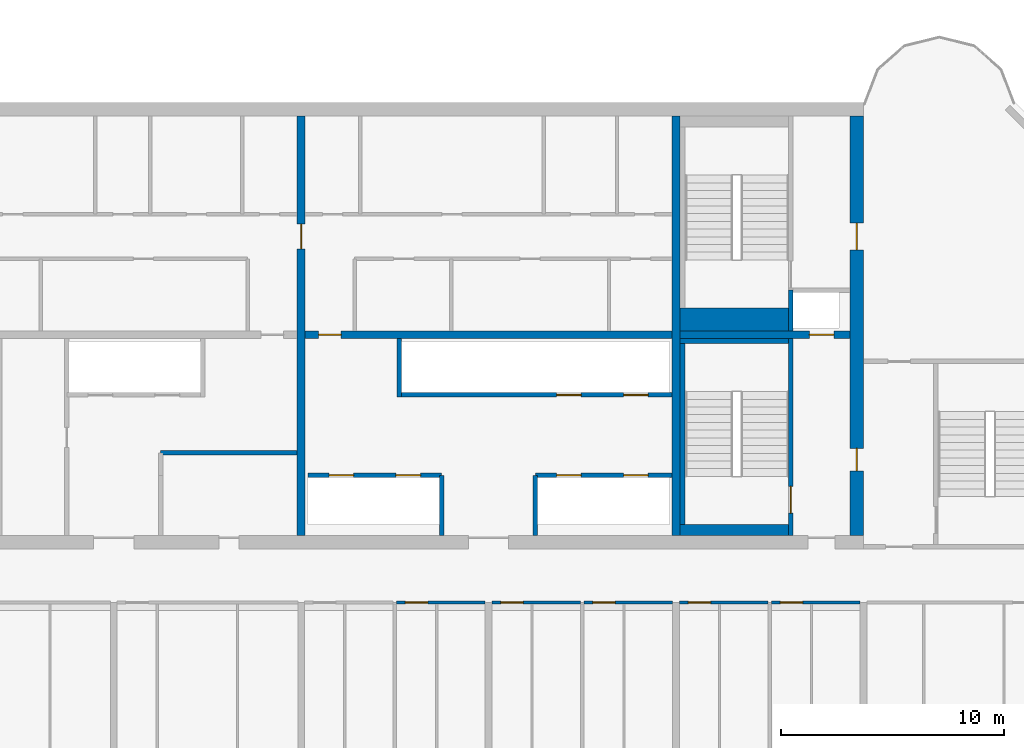
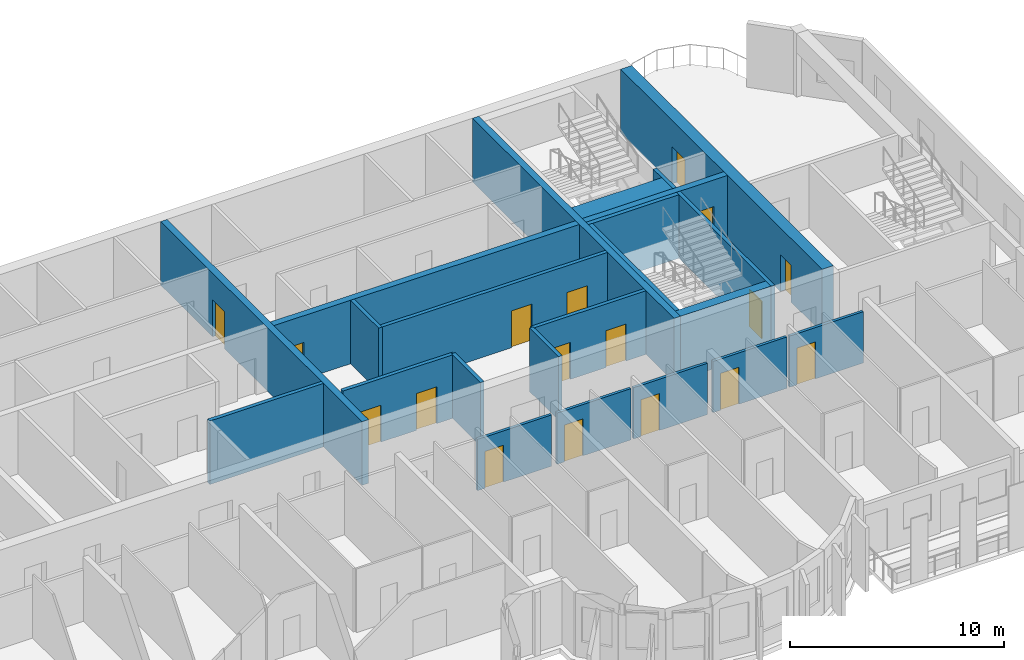
# One storey, part 6 of 12: 23 walls, 17 doors, 17 openings.
"""IFC4 building model written with IfcOpenShell, lengths in metres."""

from ifc_helpers import new_model, si_unit, direction, frame, frame_2d, origin, place, context, subcontext, project, spatial, rectangle, extrude, source, transform, mapped, material, layer, layer_set, type_object, element, fill, save


model = new_model("IFC4")

# Units and contexts
model_context = context("Model", 3, precision=1e-05, world=origin(), true_north=direction((0.0, 1.0)))
body_context = subcontext(model_context, "Body", "Model", "MODEL_VIEW")
ifc_project = project(units=[si_unit("LENGTHUNIT", "METRE"), si_unit("AREAUNIT", "SQUARE_METRE"), si_unit("VOLUMEUNIT", "CUBIC_METRE"), si_unit("PLANEANGLEUNIT", "RADIAN"), si_unit("MASSUNIT", "GRAM", prefix="KILO")], contexts=[model_context])

# Site, building, storey
site_placement = place(None, origin())
site = spatial("IfcSite", under=ifc_project, at=site_placement, CompositionType="ELEMENT")
building_placement = place(site_placement, origin())
building = spatial("IfcBuilding", under=site, at=building_placement, Name="Vanashikhar Sky Hotel", CompositionType="ELEMENT")
storey_placement = place(building_placement, frame((0.0, 0.0, 221.800048828125)))
storey = spatial("IfcBuildingStorey", under=building, at=storey_placement, Name="L53", CompositionType="ELEMENT", Elevation=221.800048828125)

# Wall, openings, doors
ifc_material_1 = material(Name="Concrete M60", Category="concrete")
ifc_layer_1 = layer(ifc_material_1, 0.60009765625)
ifc_layer_set_1 = layer_set([ifc_layer_1], Name="RC core shell wall 600 Concrete M60")
wall_type_1 = type_object("IfcWallType", Name="RC core shell wall 600 Concrete M60", PredefinedType="SHEAR", material=ifc_layer_set_1)
shared_shape_1 = source(origin(), body_context, "Body", "SweptSolid", [
    extrude(rectangle(XDim=18.7998046875, YDim=0.60009765625, at=frame_2d((9.39990234375, 0.0))), origin(), (0.0, 0.0, 1.0), 3.619873046875),
])
wall_1_placement = place(storey_placement, frame((75.300048828125, 22.60009765625, 0.0), z_axis=(0.0, 0.0, 1.0), x_axis=(0.0, 1.0, 0.0)))
wall_1 = element("IfcWall", 1, at=wall_1_placement, inside=storey, type_object=wall_type_1, Name="KW-L53-KE", PredefinedType="SHEAR", context=body_context, shape_type="MappedRepresentation", body=[
    mapped(shared_shape_1, transform((0.0, 0.0, 0.0), scale=1.0)),
])
shared_shape_2 = source(origin(), body_context, "Body", "SweptSolid", [
    extrude(rectangle(XDim=1.0, YDim=2.10009765625, at=frame_2d((0.5, 1.050048828125))), frame((0.0, 0.31005859375, 0.0), z_axis=(0.0, -1.0, 0.0), x_axis=(1.0, 0.0, 0.0)), (0.0, 0.0, 1.0), 0.6201171875),
])
opening_1_placement = place(wall_1_placement, frame((2.89990234375, 0.0, 0.0)))
opening_1 = element("IfcOpeningElement", 2, at=opening_1_placement, cuts=wall_1, Name="Opening DC-5", PredefinedType="OPENING", context=body_context, shape_type="MappedRepresentation", body=[
    mapped(shared_shape_2, transform((0.0, 0.0, 0.0), scale=1.0)),
])
shared_shape_3 = source(origin(), body_context, "Body", "SweptSolid", [
    extrude(rectangle(XDim=1.199951171875, YDim=2.10009765625, at=frame_2d((0.60009765625, 1.050048828125))), frame((0.0, 0.31005859375, 0.0), z_axis=(0.0, -1.0, 0.0), x_axis=(1.0, 0.0, 0.0)), (0.0, 0.0, 1.0), 0.6201171875),
])
opening_2_placement = place(wall_1_placement, frame((12.800048828125, 0.0, 0.0)))
opening_2 = element("IfcOpeningElement", 3, at=opening_2_placement, cuts=wall_1, Name="Opening DC-4-D", PredefinedType="OPENING", context=body_context, shape_type="MappedRepresentation", body=[
    mapped(shared_shape_3, transform((0.0, 0.0, 0.0), scale=1.0)),
])
ifc_material_2 = material(Name="Steel", Category="steel")
door_type_1 = type_object("IfcDoorType", Name="Refuge door 1000 FD120", OperationType="NOTDEFINED", PredefinedType="DOOR", material=ifc_material_2)
shared_shape_4 = source(origin(), body_context, "Body", "SweptSolid", [
    extrude(rectangle(XDim=1.0, YDim=2.10009765625, at=frame_2d((0.5, 1.050048828125))), frame((0.0, 0.02490234375, 0.0), z_axis=(0.0, -1.0, 0.0), x_axis=(1.0, 0.0, 0.0)), (0.0, 0.0, 1.0), 0.050048828125),
])
door_1_placement = place(opening_1_placement, origin())
door_1 = element("IfcDoor", 4, at=door_1_placement, inside=storey, type_object=door_type_1, Name="Refuge door 1000 FD120", OperationType="SINGLE_SWING_RIGHT", OverallHeight=2.10009765625, OverallWidth=1.0, PredefinedType="DOOR", context=body_context, shape_type="MappedRepresentation", body=[
    mapped(shared_shape_4, transform((0.0, 0.0, 0.0), scale=1.0)),
])
fill(opening_1, door_1)
door_type_2 = type_object("IfcDoorType", Name="Service door 1200 FD120", OperationType="NOTDEFINED", PredefinedType="DOOR", material=ifc_material_2)
shared_shape_5 = source(origin(), body_context, "Body", "SweptSolid", [
    extrude(rectangle(XDim=1.199951171875, YDim=2.10009765625, at=frame_2d((0.60009765625, 1.050048828125))), frame((0.0, 0.02490234375, 0.0), z_axis=(0.0, -1.0, 0.0), x_axis=(1.0, 0.0, 0.0)), (0.0, 0.0, 1.0), 0.050048828125),
])
door_2_placement = place(opening_2_placement, origin())
door_2 = element("IfcDoor", 5, at=door_2_placement, inside=storey, type_object=door_type_2, Name="Service door 1200 FD120", OperationType="SINGLE_SWING_LEFT", OverallHeight=2.10009765625, OverallWidth=1.199951171875, PredefinedType="DOOR", context=body_context, shape_type="MappedRepresentation", body=[
    mapped(shared_shape_5, transform((0.0, 0.0, 0.0), scale=1.0)),
])
fill(opening_2, door_2)

# Wall, opening, door
ifc_layer_2 = layer(ifc_material_1, 0.35009765625)
ifc_layer_set_2 = layer_set([ifc_layer_2], Name="RC core inner wall 350 Concrete M60")
wall_type_2 = type_object("IfcWallType", Name="RC core inner wall 350 Concrete M60", PredefinedType="SHEAR", material=ifc_layer_set_2)
shared_shape_6 = source(origin(), body_context, "Body", "SweptSolid", [
    extrude(rectangle(XDim=18.7998046875, YDim=0.35009765625, at=frame_2d((9.39990234375, 0.0))), origin(), (0.0, 0.0, 1.0), 3.619873046875),
])
wall_2_placement = place(storey_placement, frame((50.39990234375, 22.60009765625, 0.0), z_axis=(0.0, 0.0, 1.0), x_axis=(0.0, 1.0, 0.0)))
wall_2 = element("IfcWall", 6, at=wall_2_placement, inside=storey, type_object=wall_type_2, Name="KW-L53-KX2", PredefinedType="SHEAR", context=body_context, shape_type="MappedRepresentation", body=[
    mapped(shared_shape_6, transform((0.0, 0.0, 0.0), scale=1.0)),
])
shared_shape_7 = source(origin(), body_context, "Body", "SweptSolid", [
    extrude(rectangle(XDim=1.10009765625, YDim=2.10009765625, at=frame_2d((0.550048828125, 1.050048828125))), frame((0.0, 0.18505859375, 0.0), z_axis=(0.0, -1.0, 0.0), x_axis=(1.0, 0.0, 0.0)), (0.0, 0.0, 1.0), 0.3701171875),
])
opening_3_placement = place(wall_2_placement, frame((12.85009765625, 0.0, 0.0)))
opening_3 = element("IfcOpeningElement", 7, at=opening_3_placement, cuts=wall_2, Name="Opening DC-4-C", PredefinedType="OPENING", context=body_context, shape_type="MappedRepresentation", body=[
    mapped(shared_shape_7, transform((0.0, 0.0, 0.0), scale=1.0)),
])
door_type_3 = type_object("IfcDoorType", Name="Service door 1100 FD60", OperationType="NOTDEFINED", PredefinedType="DOOR", material=ifc_material_2)
shared_shape_8 = source(origin(), body_context, "Body", "SweptSolid", [
    extrude(rectangle(XDim=1.10009765625, YDim=2.10009765625, at=frame_2d((0.550048828125, 1.050048828125))), frame((0.0, 0.02490234375, 0.0), z_axis=(0.0, -1.0, 0.0), x_axis=(1.0, 0.0, 0.0)), (0.0, 0.0, 1.0), 0.050048828125),
])
door_3_placement = place(opening_3_placement, origin())
door_3 = element("IfcDoor", 8, at=door_3_placement, inside=storey, type_object=door_type_3, Name="Service door 1100 FD60", OperationType="SINGLE_SWING_RIGHT", OverallHeight=2.10009765625, OverallWidth=1.10009765625, PredefinedType="DOOR", context=body_context, shape_type="MappedRepresentation", body=[
    mapped(shared_shape_8, transform((0.0, 0.0, 0.0), scale=1.0)),
])
fill(opening_3, door_3)

# Wall
wall_3_placement = place(storey_placement, frame((67.199951171875, 22.60009765625, 0.0), z_axis=(0.0, 0.0, 1.0), x_axis=(0.0, 1.0, 0.0)))
element("IfcWall", 9, at=wall_3_placement, inside=storey, type_object=wall_type_2, Name="KW-L53-KX3", PredefinedType="SHEAR", context=body_context, shape_type="MappedRepresentation", body=[
    mapped(shared_shape_6, transform((0.0, 0.0, 0.0), scale=1.0)),
])

# Wall, opening, door
shared_shape_9 = source(origin(), body_context, "Body", "SweptSolid", [
    extrude(rectangle(XDim=7.625, YDim=0.35009765625, at=frame_2d((3.8125, 0.0))), origin(), (0.0, 0.0, 1.0), 3.619873046875),
])
wall_4_placement = place(storey_placement, frame((67.375, 31.60009765625, 0.0), z_axis=(0.0, 0.0, 1.0), x_axis=(1.0, 0.0, 0.0)))
wall_4 = element("IfcWall", 10, at=wall_4_placement, inside=storey, type_object=wall_type_2, Name="KW-L53-KY4", PredefinedType="SHEAR", context=body_context, shape_type="MappedRepresentation", body=[
    mapped(shared_shape_9, transform((0.0, 0.0, 0.0), scale=1.0)),
])
opening_4_placement = place(wall_4_placement, frame((5.800048828125, 0.0, 0.0)))
opening_4 = element("IfcOpeningElement", 11, at=opening_4_placement, cuts=wall_4, Name="Opening LD", PredefinedType="OPENING", context=body_context, shape_type="MappedRepresentation", body=[
    mapped(shared_shape_7, transform((0.0, 0.0, 0.0), scale=1.0)),
])
ifc_material_3 = material(Name="Stainless steel", Category="steel")
door_type_4 = type_object("IfcDoorType", Name="Lift landing door 1100", OperationType="NOTDEFINED", PredefinedType="DOOR", material=ifc_material_3)
door_4_placement = place(opening_4_placement, origin())
door_4 = element("IfcDoor", 12, at=door_4_placement, inside=storey, type_object=door_type_4, Name="Lift landing door 1100", OperationType="SLIDING_TO_LEFT", OverallHeight=2.10009765625, OverallWidth=1.10009765625, PredefinedType="DOOR", context=body_context, shape_type="MappedRepresentation", body=[
    mapped(shared_shape_8, transform((0.0, 0.0, 0.0), scale=1.0)),
])
fill(opening_4, door_4)

shared_shape_10 = source(origin(), body_context, "Body", "SweptSolid", [
    extrude(rectangle(XDim=16.449951171875, YDim=0.35009765625, at=frame_2d((8.22509765625, 0.0))), origin(), (0.0, 0.0, 1.0), 3.619873046875),
])
wall_5_placement = place(storey_placement, frame((50.574951171875, 31.60009765625, 0.0), z_axis=(0.0, 0.0, 1.0), x_axis=(1.0, 0.0, 0.0)))
wall_5 = element("IfcWall", 13, at=wall_5_placement, inside=storey, type_object=wall_type_2, Name="KW-L53-KY3", PredefinedType="SHEAR", context=body_context, shape_type="MappedRepresentation", body=[
    mapped(shared_shape_10, transform((0.0, 0.0, 0.0), scale=1.0)),
])
shared_shape_11 = source(origin(), body_context, "Body", "SweptSolid", [
    extrude(rectangle(XDim=1.0, YDim=2.10009765625, at=frame_2d((0.5, 1.050048828125))), frame((0.0, 0.18505859375, 0.0), z_axis=(0.0, -1.0, 0.0), x_axis=(1.0, 0.0, 0.0)), (0.0, 0.0, 1.0), 0.3701171875),
])
opening_5_placement = place(wall_5_placement, frame((0.613037109375, 0.0, 0.0)))
opening_5 = element("IfcOpeningElement", 14, at=opening_5_placement, cuts=wall_5, Name="Opening DC-4", PredefinedType="OPENING", context=body_context, shape_type="MappedRepresentation", body=[
    mapped(shared_shape_11, transform((0.0, 0.0, 0.0), scale=1.0)),
])
door_type_5 = type_object("IfcDoorType", Name="Service door 1000 FD60", OperationType="NOTDEFINED", PredefinedType="DOOR", material=ifc_material_2)
door_5_placement = place(opening_5_placement, origin())
door_5 = element("IfcDoor", 15, at=door_5_placement, inside=storey, type_object=door_type_5, Name="Service door 1000 FD60", OperationType="SINGLE_SWING_RIGHT", OverallHeight=2.10009765625, OverallWidth=1.0, PredefinedType="DOOR", context=body_context, shape_type="MappedRepresentation", body=[
    mapped(shared_shape_4, transform((0.0, 0.0, 0.0), scale=1.0)),
])
fill(opening_5, door_5)

# Wall, openings, doors
ifc_material_4 = material(Name="Concrete M40", Category="concrete")
ifc_layer_3 = layer(ifc_material_4, 0.199951171875)
ifc_layer_set_3 = layer_set([ifc_layer_3], Name="Shaft wall 200")
wall_type_3 = type_object("IfcWallType", Name="Shaft wall 200", PredefinedType="SOLIDWALL", material=ifc_layer_set_3)
shared_shape_12 = source(origin(), body_context, "Body", "SweptSolid", [
    extrude(rectangle(XDim=6.0, YDim=0.199951171875, at=frame_2d((3.0, 0.0))), origin(), (0.0, 0.0, 1.0), 3.619873046875),
])
wall_6_placement = place(storey_placement, frame((56.699951171875, 25.300048828125, 0.0), z_axis=(0.0, 0.0, 1.0), x_axis=(-1.0, 0.0, 0.0)))
wall_6 = element("IfcWall", 16, at=wall_6_placement, inside=storey, type_object=wall_type_3, Name="Shaft wall 200", PredefinedType="SOLIDWALL", context=body_context, shape_type="MappedRepresentation", body=[
    mapped(shared_shape_12, transform((0.0, 0.0, 0.0), scale=1.0)),
])
shared_shape_13 = source(origin(), body_context, "Body", "SweptSolid", [
    extrude(rectangle(XDim=1.10009765625, YDim=2.10009765625, at=frame_2d((0.550048828125, 1.050048828125))), frame((0.0, 0.10986328125, 0.0), z_axis=(0.0, -1.0, 0.0), x_axis=(1.0, 0.0, 0.0)), (0.0, 0.0, 1.0), 0.219970703125),
])
opening_6_placement = place(wall_6_placement, frame((0.949951171875, 0.0, 0.0)))
opening_6 = element("IfcOpeningElement", 17, at=opening_6_placement, cuts=wall_6, Name="Opening LD", PredefinedType="OPENING", context=body_context, shape_type="MappedRepresentation", body=[
    mapped(shared_shape_13, transform((0.0, 0.0, 0.0), scale=1.0)),
])
opening_7_placement = place(wall_6_placement, frame((3.949951171875, 0.0, 0.0)))
opening_7 = element("IfcOpeningElement", 18, at=opening_7_placement, cuts=wall_6, Name="Opening LD", PredefinedType="OPENING", context=body_context, shape_type="MappedRepresentation", body=[
    mapped(shared_shape_13, transform((0.0, 0.0, 0.0), scale=1.0)),
])
door_6_placement = place(opening_6_placement, origin())
door_6 = element("IfcDoor", 19, at=door_6_placement, inside=storey, type_object=door_type_4, Name="Lift landing door 1100", OperationType="SLIDING_TO_RIGHT", OverallHeight=2.10009765625, OverallWidth=1.10009765625, PredefinedType="DOOR", context=body_context, shape_type="MappedRepresentation", body=[
    mapped(shared_shape_8, transform((0.0, 0.0, 0.0), scale=1.0)),
])
fill(opening_6, door_6)
door_7_placement = place(opening_7_placement, origin())
door_7 = element("IfcDoor", 20, at=door_7_placement, inside=storey, type_object=door_type_4, Name="Lift landing door 1100", OperationType="SLIDING_TO_LEFT", OverallHeight=2.10009765625, OverallWidth=1.10009765625, PredefinedType="DOOR", context=body_context, shape_type="MappedRepresentation", body=[
    mapped(shared_shape_8, transform((0.0, 0.0, 0.0), scale=1.0)),
])
fill(opening_7, door_7)

# Walls
shared_shape_14 = source(origin(), body_context, "Body", "SweptSolid", [
    extrude(rectangle(XDim=2.699951171875, YDim=0.199951171875, at=frame_2d((1.35009765625, 0.0))), origin(), (0.0, 0.0, 1.0), 3.619873046875),
])
for number, where, z_axis, x_axis, name in (
    (21, (60.89990234375, 22.60009765625, 0.0), (0.0, 0.0, 1.0), (0.0, 1.0, 0.0), "Shaft wall 200"),
    (22, (56.699951171875, 22.60009765625, 0.0), (0.0, 0.0, 1.0), (0.0, 1.0, 0.0), "Shaft wall 200"),
):
    element("IfcWall", number, at=place(storey_placement, frame(where, z_axis=z_axis, x_axis=x_axis)), inside=storey, type_object=wall_type_3, Name=name, PredefinedType="SOLIDWALL", context=body_context, shape_type="MappedRepresentation", body=[
        mapped(shared_shape_14, transform((0.0, 0.0, 0.0), scale=1.0)),
    ])
shared_shape_15 = source(origin(), body_context, "Body", "SweptSolid", [
    extrude(rectangle(XDim=2.625, YDim=0.199951171875, at=frame_2d((1.3125, 0.0))), origin(), (0.0, 0.0, 1.0), 3.619873046875),
])
wall_7_placement = place(storey_placement, frame((54.800048828125, 28.800048828125, 0.0), z_axis=(0.0, 0.0, 1.0), x_axis=(0.0, 1.0, 0.0)))
element("IfcWall", 23, at=wall_7_placement, inside=storey, type_object=wall_type_3, Name="Shaft wall 200", PredefinedType="SOLIDWALL", context=body_context, shape_type="MappedRepresentation", body=[
    mapped(shared_shape_15, transform((0.0, 0.0, 0.0), scale=1.0)),
])
ifc_material_5 = material(Name="Gypsum board partition")
ifc_layer_4 = layer(ifc_material_5, 0.14990234375)
ifc_layer_set_4 = layer_set([ifc_layer_4], Name="Service partition 150")
wall_type_4 = type_object("IfcWallType", Name="Service partition 150", PredefinedType="PARTITIONING", material=ifc_layer_set_4)
shared_shape_16 = source(origin(), body_context, "Body", "SweptSolid", [
    extrude(rectangle(XDim=6.125, YDim=0.199951171875, at=frame_2d((3.0625, 0.0))), origin(), (0.0, 0.0, 1.0), 3.619873046875),
])
wall_8_placement = place(storey_placement, frame((44.10009765625, 26.300048828125, 0.0), z_axis=(0.0, 0.0, 1.0), x_axis=(1.0, 0.0, 0.0)))
element("IfcWall", 24, at=wall_8_placement, inside=storey, type_object=wall_type_4, Name="Service partition 150", PredefinedType="PARTITIONING", context=body_context, shape_type="MappedRepresentation", body=[
    mapped(shared_shape_16, transform((0.0, 0.0, 0.0), scale=1.0)),
])

# Wall, openings, doors
wall_9_placement = place(storey_placement, frame((67.02490234375, 25.300048828125, 0.0), z_axis=(0.0, 0.0, 1.0), x_axis=(-1.0, 0.0, 0.0)))
wall_9 = element("IfcWall", 25, at=wall_9_placement, inside=storey, type_object=wall_type_3, Name="Shaft wall 200", PredefinedType="SOLIDWALL", context=body_context, shape_type="MappedRepresentation", body=[
    mapped(shared_shape_16, transform((0.0, 0.0, 0.0), scale=1.0)),
])
opening_8_placement = place(wall_9_placement, frame((1.074951171875, 0.0, 0.0)))
opening_8 = element("IfcOpeningElement", 26, at=opening_8_placement, cuts=wall_9, Name="Opening LD", PredefinedType="OPENING", context=body_context, shape_type="MappedRepresentation", body=[
    mapped(shared_shape_13, transform((0.0, 0.0, 0.0), scale=1.0)),
])
opening_9_placement = place(wall_9_placement, frame((4.074951171875, 0.0, 0.0)))
opening_9 = element("IfcOpeningElement", 27, at=opening_9_placement, cuts=wall_9, Name="Opening LD", PredefinedType="OPENING", context=body_context, shape_type="MappedRepresentation", body=[
    mapped(shared_shape_13, transform((0.0, 0.0, 0.0), scale=1.0)),
])
door_8_placement = place(opening_8_placement, origin())
door_8 = element("IfcDoor", 28, at=door_8_placement, inside=storey, type_object=door_type_4, Name="Lift landing door 1100", OperationType="SLIDING_TO_RIGHT", OverallHeight=2.10009765625, OverallWidth=1.10009765625, PredefinedType="DOOR", context=body_context, shape_type="MappedRepresentation", body=[
    mapped(shared_shape_8, transform((0.0, 0.0, 0.0), scale=1.0)),
])
fill(opening_8, door_8)
door_9_placement = place(opening_9_placement, origin())
door_9 = element("IfcDoor", 29, at=door_9_placement, inside=storey, type_object=door_type_4, Name="Lift landing door 1100", OperationType="SLIDING_TO_LEFT", OverallHeight=2.10009765625, OverallWidth=1.10009765625, PredefinedType="DOOR", context=body_context, shape_type="MappedRepresentation", body=[
    mapped(shared_shape_8, transform((0.0, 0.0, 0.0), scale=1.0)),
])
fill(opening_9, door_9)

shared_shape_17 = source(origin(), body_context, "Body", "SweptSolid", [
    extrude(rectangle(XDim=12.125, YDim=0.199951171875, at=frame_2d((6.0625, 0.0))), origin(), (0.0, 0.0, 1.0), 3.619873046875),
])
wall_10_placement = place(storey_placement, frame((67.02490234375, 28.89990234375, 0.0), z_axis=(0.0, 0.0, 1.0), x_axis=(-1.0, 0.0, 0.0)))
wall_10 = element("IfcWall", 30, at=wall_10_placement, inside=storey, type_object=wall_type_3, Name="Shaft wall 200", PredefinedType="SOLIDWALL", context=body_context, shape_type="MappedRepresentation", body=[
    mapped(shared_shape_17, transform((0.0, 0.0, 0.0), scale=1.0)),
])
opening_10_placement = place(wall_10_placement, frame((1.074951171875, 0.0, 0.0)))
opening_10 = element("IfcOpeningElement", 31, at=opening_10_placement, cuts=wall_10, Name="Opening LD", PredefinedType="OPENING", context=body_context, shape_type="MappedRepresentation", body=[
    mapped(shared_shape_13, transform((0.0, 0.0, 0.0), scale=1.0)),
])
opening_11_placement = place(wall_10_placement, frame((4.074951171875, 0.0, 0.0)))
opening_11 = element("IfcOpeningElement", 32, at=opening_11_placement, cuts=wall_10, Name="Opening LD", PredefinedType="OPENING", context=body_context, shape_type="MappedRepresentation", body=[
    mapped(shared_shape_13, transform((0.0, 0.0, 0.0), scale=1.0)),
])
door_10_placement = place(opening_10_placement, origin())
door_10 = element("IfcDoor", 33, at=door_10_placement, inside=storey, type_object=door_type_4, Name="Lift landing door 1100", OperationType="SLIDING_TO_RIGHT", OverallHeight=2.10009765625, OverallWidth=1.10009765625, PredefinedType="DOOR", context=body_context, shape_type="MappedRepresentation", body=[
    mapped(shared_shape_8, transform((0.0, 0.0, 0.0), scale=1.0)),
])
fill(opening_10, door_10)
door_11_placement = place(opening_11_placement, origin())
door_11 = element("IfcDoor", 34, at=door_11_placement, inside=storey, type_object=door_type_4, Name="Lift landing door 1100", OperationType="SLIDING_TO_LEFT", OverallHeight=2.10009765625, OverallWidth=1.10009765625, PredefinedType="DOOR", context=body_context, shape_type="MappedRepresentation", body=[
    mapped(shared_shape_8, transform((0.0, 0.0, 0.0), scale=1.0)),
])
fill(opening_11, door_11)

# Wall, opening, door
ifc_material_6 = material(Name="Concrete M50", Category="concrete")
ifc_layer_5 = layer(ifc_material_6, 0.199951171875)
ifc_layer_set_5 = layer_set([ifc_layer_5], Name="Stair wall 200")
wall_type_5 = type_object("IfcWallType", Name="Stair wall 200", PredefinedType="SOLIDWALL", material=ifc_layer_set_5)
shared_shape_18 = source(origin(), body_context, "Body", "SweptSolid", [
    extrude(rectangle(XDim=8.824951171875, YDim=0.199951171875, at=frame_2d((4.41259765625, 0.0))), origin(), (0.0, 0.0, 1.0), 3.619873046875),
])
wall_11_placement = place(storey_placement, frame((72.35009765625, 22.60009765625, 0.0), z_axis=(0.0, 0.0, 1.0), x_axis=(0.0, 1.0, 0.0)))
wall_11 = element("IfcWall", 35, at=wall_11_placement, inside=storey, type_object=wall_type_5, Name="Stair wall 200", PredefinedType="SOLIDWALL", context=body_context, shape_type="MappedRepresentation", body=[
    mapped(shared_shape_18, transform((0.0, 0.0, 0.0), scale=1.0)),
])
shared_shape_19 = source(origin(), body_context, "Body", "SweptSolid", [
    extrude(rectangle(XDim=1.199951171875, YDim=2.10009765625, at=frame_2d((0.60009765625, 1.050048828125))), frame((0.0, 0.10986328125, 0.0), z_axis=(0.0, -1.0, 0.0), x_axis=(1.0, 0.0, 0.0)), (0.0, 0.0, 1.0), 0.219970703125),
])
opening_12_placement = place(wall_11_placement, frame((1.0, 0.0, 0.0)))
opening_12 = element("IfcOpeningElement", 36, at=opening_12_placement, cuts=wall_11, Name="Opening DC-1", PredefinedType="OPENING", context=body_context, shape_type="MappedRepresentation", body=[
    mapped(shared_shape_19, transform((0.0, 0.0, 0.0), scale=1.0)),
])
door_type_6 = type_object("IfcDoorType", Name="Stair door 1200 FD120", OperationType="NOTDEFINED", PredefinedType="DOOR", material=ifc_material_2)
door_12_placement = place(opening_12_placement, origin())
door_12 = element("IfcDoor", 37, at=door_12_placement, inside=storey, type_object=door_type_6, Name="Stair door 1200 FD120", OperationType="SINGLE_SWING_LEFT", OverallHeight=2.10009765625, OverallWidth=1.199951171875, PredefinedType="DOOR", context=body_context, shape_type="MappedRepresentation", body=[
    mapped(shared_shape_5, transform((0.0, 0.0, 0.0), scale=1.0)),
])
fill(opening_12, door_12)

# Walls
shared_shape_20 = source(origin(), body_context, "Body", "SweptSolid", [
    extrude(rectangle(XDim=1.8251953125, YDim=0.199951171875, at=frame_2d((0.91259765625, 0.0))), origin(), (0.0, 0.0, 1.0), 3.619873046875),
])
wall_12_placement = place(storey_placement, frame((72.35009765625, 31.77490234375, 0.0), z_axis=(0.0, 0.0, 1.0), x_axis=(0.0, 1.0, 0.0)))
element("IfcWall", 38, at=wall_12_placement, inside=storey, type_object=wall_type_3, Name="Shaft wall 200", PredefinedType="SOLIDWALL", context=body_context, shape_type="MappedRepresentation", body=[
    mapped(shared_shape_20, transform((0.0, 0.0, 0.0), scale=1.0)),
])
ifc_layer_6 = layer(ifc_material_6, 0.5)
ifc_layer_set_6 = layer_set([ifc_layer_6], Name="Stair infill wall 500")
wall_type_6 = type_object("IfcWallType", Name="Stair infill wall 500", PredefinedType="SOLIDWALL", material=ifc_layer_set_6)
shared_shape_21 = source(origin(), body_context, "Body", "SweptSolid", [
    extrude(rectangle(XDim=4.875, YDim=0.5, at=frame_2d((2.4375, 0.0))), origin(), (0.0, 0.0, 1.0), 3.619873046875),
])
wall_13_placement = place(storey_placement, frame((67.375, 22.85009765625, 0.0), z_axis=(0.0, 0.0, 1.0), x_axis=(1.0, 0.0, 0.0)))
element("IfcWall", 39, at=wall_13_placement, inside=storey, type_object=wall_type_6, Name="Stair infill wall 500", PredefinedType="SOLIDWALL", context=body_context, shape_type="MappedRepresentation", body=[
    mapped(shared_shape_21, transform((0.0, 0.0, 0.0), scale=1.0)),
])
ifc_layer_7 = layer(ifc_material_6, 0.22509765625)
ifc_layer_set_7 = layer_set([ifc_layer_7], Name="Stair infill wall 225")
wall_type_7 = type_object("IfcWallType", Name="Stair infill wall 225", PredefinedType="SOLIDWALL", material=ifc_layer_set_7)
shared_shape_22 = source(origin(), body_context, "Body", "SweptSolid", [
    extrude(rectangle(XDim=4.875, YDim=0.22509765625, at=frame_2d((2.4375, 0.0))), origin(), (0.0, 0.0, 1.0), 3.619873046875),
])
wall_14_placement = place(storey_placement, frame((67.375, 31.31201171875, 0.0), z_axis=(0.0, 0.0, 1.0), x_axis=(1.0, 0.0, 0.0)))
element("IfcWall", 40, at=wall_14_placement, inside=storey, type_object=wall_type_7, Name="Stair infill wall 225", PredefinedType="SOLIDWALL", context=body_context, shape_type="MappedRepresentation", body=[
    mapped(shared_shape_22, transform((0.0, 0.0, 0.0), scale=1.0)),
])
shared_shape_23 = source(origin(), body_context, "Body", "SweptSolid", [
    extrude(rectangle(XDim=8.099853515625, YDim=0.22509765625, at=frame_2d((4.0498046875, 0.0))), origin(), (0.0, 0.0, 1.0), 3.619873046875),
])
wall_15_placement = place(storey_placement, frame((67.487060546875, 23.10009765625, 0.0), z_axis=(0.0, 0.0, 1.0), x_axis=(0.0, 1.0, 0.0)))
element("IfcWall", 41, at=wall_15_placement, inside=storey, type_object=wall_type_7, Name="Stair infill wall 225", PredefinedType="SOLIDWALL", context=body_context, shape_type="MappedRepresentation", body=[
    mapped(shared_shape_23, transform((0.0, 0.0, 0.0), scale=1.0)),
])
ifc_layer_8 = layer(ifc_material_6, 1.02490234375)
ifc_layer_set_8 = layer_set([ifc_layer_8], Name="Stair infill wall 1025")
wall_type_8 = type_object("IfcWallType", Name="Stair infill wall 1025", PredefinedType="SOLIDWALL", material=ifc_layer_set_8)
shared_shape_24 = source(origin(), body_context, "Body", "SweptSolid", [
    extrude(rectangle(XDim=4.875, YDim=1.02490234375, at=frame_2d((2.4375, 0.0))), origin(), (0.0, 0.0, 1.0), 3.619873046875),
])
wall_16_placement = place(storey_placement, frame((67.375, 32.287109375, 0.0), z_axis=(0.0, 0.0, 1.0), x_axis=(1.0, 0.0, 0.0)))
element("IfcWall", 42, at=wall_16_placement, inside=storey, type_object=wall_type_8, Name="Stair infill wall 1025", PredefinedType="SOLIDWALL", context=body_context, shape_type="MappedRepresentation", body=[
    mapped(shared_shape_24, transform((0.0, 0.0, 0.0), scale=1.0)),
])

# Wall, opening, door
ifc_material_7 = material(Name="Gypsum plasterboard partition")
ifc_layer_9 = layer(ifc_material_7, 0.14990234375)
ifc_layer_set_9 = layer_set([ifc_layer_9], Name="Corridor and demising partition 150")
wall_type_9 = type_object("IfcWallType", Name="Corridor and demising partition 150", PredefinedType="PARTITIONING", material=ifc_layer_set_9)
shared_shape_25 = source(origin(), body_context, "Body", "SweptSolid", [
    extrude(rectangle(XDim=3.97509765625, YDim=0.14990234375, at=frame_2d((1.987548828125, 0.0))), origin(), (0.0, 0.0, 1.0), 2.919921875),
])
wall_17_placement = place(storey_placement, frame((58.949951171875, 19.60009765625, 0.0), z_axis=(0.0, 0.0, 1.0), x_axis=(1.0, 0.0, 0.0)))
wall_17 = element("IfcWall", 43, at=wall_17_placement, inside=storey, type_object=wall_type_9, Name="W-L53-PW033", PredefinedType="PARTITIONING", context=body_context, shape_type="MappedRepresentation", body=[
    mapped(shared_shape_25, transform((0.0, 0.0, 0.0), scale=1.0)),
])
shared_shape_26 = source(origin(), body_context, "Body", "SweptSolid", [
    extrude(rectangle(XDim=1.0, YDim=2.10009765625, at=frame_2d((0.5, 1.050048828125))), frame((0.0, 0.0849609375, 0.0), z_axis=(0.0, -1.0, 0.0), x_axis=(1.0, 0.0, 0.0)), (0.0, 0.0, 1.0), 0.169921875),
])
opening_13_placement = place(wall_17_placement, frame((0.39990234375, 0.0, 0.0)))
opening_13 = element("IfcOpeningElement", 44, at=opening_13_placement, cuts=wall_17, Name="Opening D-01", PredefinedType="OPENING", context=body_context, shape_type="MappedRepresentation", body=[
    mapped(shared_shape_26, transform((0.0, 0.0, 0.0), scale=1.0)),
])
ifc_material_8 = material(Name="Timber fire door", Category="wood")
door_type_7 = type_object("IfcDoorType", Name="Guest entry door 1000 FD30S", OperationType="NOTDEFINED", PredefinedType="DOOR", material=ifc_material_8)
door_13_placement = place(opening_13_placement, origin())
door_13 = element("IfcDoor", 45, at=door_13_placement, inside=storey, type_object=door_type_7, Name="D-L53-020", OperationType="SINGLE_SWING_LEFT", OverallHeight=2.10009765625, OverallWidth=1.0, PredefinedType="DOOR", context=body_context, shape_type="MappedRepresentation", body=[
    mapped(shared_shape_4, transform((0.0, 0.0, 0.0), scale=1.0)),
])
fill(opening_13, door_13)

wall_18_placement = place(storey_placement, frame((63.074951171875, 19.60009765625, 0.0), z_axis=(0.0, 0.0, 1.0), x_axis=(1.0, 0.0, 0.0)))
wall_18 = element("IfcWall", 46, at=wall_18_placement, inside=storey, type_object=wall_type_9, Name="W-L53-PW036", PredefinedType="PARTITIONING", context=body_context, shape_type="MappedRepresentation", body=[
    mapped(shared_shape_25, transform((0.0, 0.0, 0.0), scale=1.0)),
])
opening_14_placement = place(wall_18_placement, frame((0.39990234375, 0.0, 0.0)))
opening_14 = element("IfcOpeningElement", 47, at=opening_14_placement, cuts=wall_18, Name="Opening D-01", PredefinedType="OPENING", context=body_context, shape_type="MappedRepresentation", body=[
    mapped(shared_shape_26, transform((0.0, 0.0, 0.0), scale=1.0)),
])
door_14_placement = place(opening_14_placement, origin())
door_14 = element("IfcDoor", 48, at=door_14_placement, inside=storey, type_object=door_type_7, Name="D-L53-022", OperationType="SINGLE_SWING_LEFT", OverallHeight=2.10009765625, OverallWidth=1.0, PredefinedType="DOOR", context=body_context, shape_type="MappedRepresentation", body=[
    mapped(shared_shape_4, transform((0.0, 0.0, 0.0), scale=1.0)),
])
fill(opening_14, door_14)

shared_shape_27 = source(origin(), body_context, "Body", "SweptSolid", [
    extrude(rectangle(XDim=3.974853515625, YDim=0.14990234375, at=frame_2d((1.9873046875, 0.0))), origin(), (0.0, 0.0, 1.0), 2.919921875),
])
wall_19_placement = place(storey_placement, frame((54.675048828125, 19.60009765625, 0.0), z_axis=(0.0, 0.0, 1.0), x_axis=(1.0, 0.0, 0.0)))
wall_19 = element("IfcWall", 49, at=wall_19_placement, inside=storey, type_object=wall_type_9, Name="W-L53-PW029", PredefinedType="PARTITIONING", context=body_context, shape_type="MappedRepresentation", body=[
    mapped(shared_shape_27, transform((0.0, 0.0, 0.0), scale=1.0)),
])
opening_15_placement = place(wall_19_placement, frame((0.39990234375, 0.0, 0.0)))
opening_15 = element("IfcOpeningElement", 50, at=opening_15_placement, cuts=wall_19, Name="Opening D-01", PredefinedType="OPENING", context=body_context, shape_type="MappedRepresentation", body=[
    mapped(shared_shape_26, transform((0.0, 0.0, 0.0), scale=1.0)),
])
door_15_placement = place(opening_15_placement, origin())
door_15 = element("IfcDoor", 51, at=door_15_placement, inside=storey, type_object=door_type_7, Name="D-L53-018", OperationType="SINGLE_SWING_LEFT", OverallHeight=2.10009765625, OverallWidth=1.0, PredefinedType="DOOR", context=body_context, shape_type="MappedRepresentation", body=[
    mapped(shared_shape_4, transform((0.0, 0.0, 0.0), scale=1.0)),
])
fill(opening_15, door_15)

wall_20_placement = place(storey_placement, frame((67.35009765625, 19.60009765625, 0.0), z_axis=(0.0, 0.0, 1.0), x_axis=(1.0, 0.0, 0.0)))
wall_20 = element("IfcWall", 52, at=wall_20_placement, inside=storey, type_object=wall_type_9, Name="W-L53-PW040", PredefinedType="PARTITIONING", context=body_context, shape_type="MappedRepresentation", body=[
    mapped(shared_shape_27, transform((0.0, 0.0, 0.0), scale=1.0)),
])
opening_16_placement = place(wall_20_placement, frame((0.39990234375, 0.0, 0.0)))
opening_16 = element("IfcOpeningElement", 53, at=opening_16_placement, cuts=wall_20, Name="Opening D-01", PredefinedType="OPENING", context=body_context, shape_type="MappedRepresentation", body=[
    mapped(shared_shape_26, transform((0.0, 0.0, 0.0), scale=1.0)),
])
door_16_placement = place(opening_16_placement, origin())
door_16 = element("IfcDoor", 54, at=door_16_placement, inside=storey, type_object=door_type_7, Name="D-L53-024", OperationType="SINGLE_SWING_LEFT", OverallHeight=2.10009765625, OverallWidth=1.0, PredefinedType="DOOR", context=body_context, shape_type="MappedRepresentation", body=[
    mapped(shared_shape_4, transform((0.0, 0.0, 0.0), scale=1.0)),
])
fill(opening_16, door_16)

wall_21_placement = place(storey_placement, frame((71.47509765625, 19.60009765625, 0.0), z_axis=(0.0, 0.0, 1.0), x_axis=(1.0, 0.0, 0.0)))
wall_21 = element("IfcWall", 55, at=wall_21_placement, inside=storey, type_object=wall_type_9, Name="W-L53-PW043", PredefinedType="PARTITIONING", context=body_context, shape_type="MappedRepresentation", body=[
    mapped(shared_shape_27, transform((0.0, 0.0, 0.0), scale=1.0)),
])
opening_17_placement = place(wall_21_placement, frame((0.39990234375, 0.0, 0.0)))
opening_17 = element("IfcOpeningElement", 56, at=opening_17_placement, cuts=wall_21, Name="Opening D-01", PredefinedType="OPENING", context=body_context, shape_type="MappedRepresentation", body=[
    mapped(shared_shape_26, transform((0.0, 0.0, 0.0), scale=1.0)),
])
door_17_placement = place(opening_17_placement, origin())
door_17 = element("IfcDoor", 57, at=door_17_placement, inside=storey, type_object=door_type_7, Name="D-L53-026", OperationType="SINGLE_SWING_LEFT", OverallHeight=2.10009765625, OverallWidth=1.0, PredefinedType="DOOR", context=body_context, shape_type="MappedRepresentation", body=[
    mapped(shared_shape_4, transform((0.0, 0.0, 0.0), scale=1.0)),
])
fill(opening_17, door_17)

save(model, "model.ifc")
